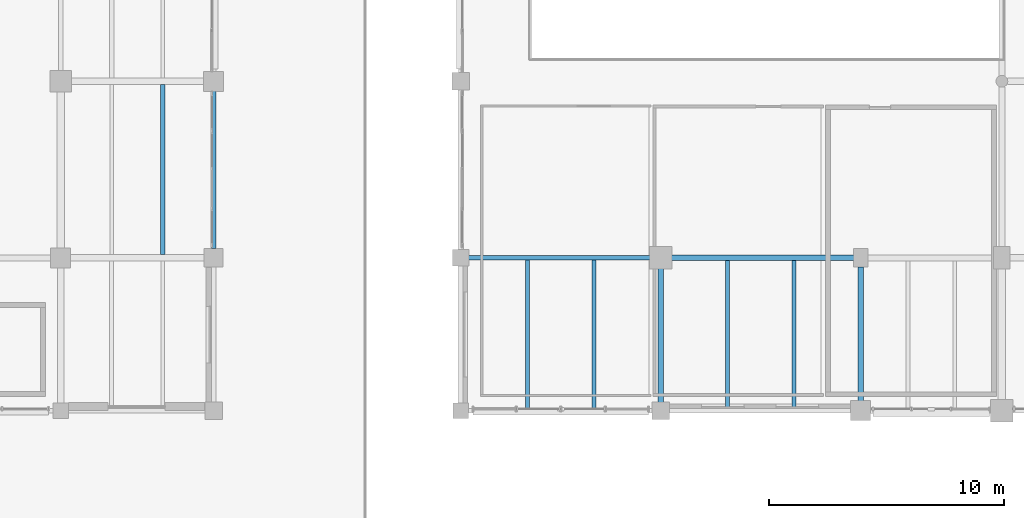
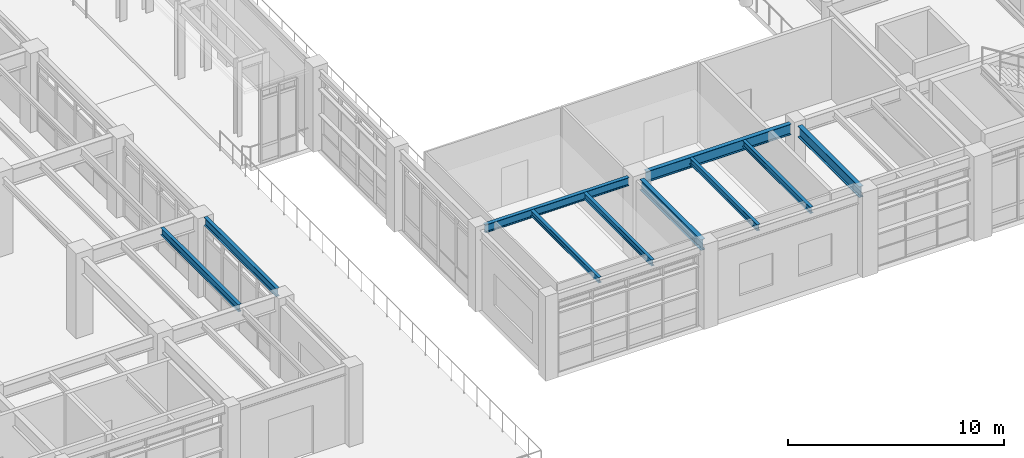
# One storey, part 109 of 200: 10 beams.
"""IFC4 building model written with IfcOpenShell, lengths in metres."""

from ifc_helpers import new_model, si_unit, direction, frame, origin, origin_2d, place, context, subcontext, project, spatial, i_section, extrude, material, material_profile, profile_set, type_object, element, save


model = new_model("IFC4")

# Units and contexts
model_context = context("Model", 3, precision=1e-05, world=origin(), true_north=direction((0.0, 1.0)))
body_context = subcontext(model_context, "Body", "Model", "MODEL_VIEW")
ifc_project = project(units=[si_unit("LENGTHUNIT", "METRE"), si_unit("AREAUNIT", "SQUARE_METRE"), si_unit("VOLUMEUNIT", "CUBIC_METRE"), si_unit("PLANEANGLEUNIT", "RADIAN"), si_unit("MASSUNIT", "GRAM", prefix="KILO"), si_unit("THERMODYNAMICTEMPERATUREUNIT", "KELVIN"), si_unit("POWERUNIT", "WATT")], contexts=[model_context])

# Site, building, storey
site_placement = place(None, origin())
site = spatial("IfcSite", under=ifc_project, at=site_placement, CompositionType="ELEMENT")
building_placement = place(site_placement, origin())
building = spatial("IfcBuilding", under=site, at=building_placement, Name="Tepalcoro Natatorium and Aquatics Centre", CompositionType="ELEMENT")
storey_placement = place(building_placement, frame((0.0, 0.0, 5.39990234375)))
storey = spatial("IfcBuildingStorey", under=building, at=storey_placement, Name="L01", CompositionType="ELEMENT", Elevation=5.39990234375)

# Beams
ifc_material = material(Name="Steel ASTM A992 Grade 50 (Fy 345 MPa)", Category="steel")
ifc_material_profile_1 = material_profile(ifc_material, i_section(OverallWidth=0.193115234375, OverallDepth=0.467041015625, WebThickness=0.010986328125, FlangeThickness=0.01904296875, FilletRadius=0.013916015625, at=origin_2d()), Name="W18X65")
ifc_profile_set_1 = profile_set([ifc_material_profile_1], Name="Steel ASTM A992 Grade 50 (Fy 345 MPa)")
beam_type_1 = type_object("IfcBeamType", Name="BM_W18x65", PredefinedType="BEAM", material=ifc_profile_set_1)
beam_1_placement = place(storey_placement, frame((142.3349609375, 13.0, 4.3115234375), z_axis=(1.0, 0.0, 0.0), x_axis=(0.0, 1.0, 0.0)))
element("IfcBeam", 1, at=beam_1_placement, inside=storey, type_object=beam_type_1, Name="V2 L01 Grid Girder X", PredefinedType="BEAM", context=body_context, shape_type="SweptSolid", body=[
    extrude(i_section(OverallWidth=0.193115234375, OverallDepth=0.467041015625, WebThickness=0.010986328125, FlangeThickness=0.01904296875, FilletRadius=0.013916015625, at=origin_2d()), origin(), (0.0, 0.0, 1.0), 7.705078125),
])
ifc_material_profile_2 = material_profile(ifc_material, i_section(OverallWidth=0.22802734375, OverallDepth=0.60693359375, WebThickness=0.010986328125, FlangeThickness=0.01708984375, FilletRadius=0.013916015625, at=origin_2d()), Name="W24X76")
ifc_profile_set_2 = profile_set([ifc_material_profile_2], Name="Steel ASTM A992 Grade 50 (Fy 345 MPa)")
beam_type_2 = type_object("IfcBeamType", Name="BM_W24x76", PredefinedType="BEAM", material=ifc_profile_set_2)
beam_2_placement = place(storey_placement, frame((150.9599609375, 13.0, 4.24169921875), z_axis=(1.0, 0.0, 0.0), x_axis=(0.0, 1.0, 0.0)))
element("IfcBeam", 2, at=beam_2_placement, inside=storey, type_object=beam_type_2, Name="V2 L01 Grid Girder X", PredefinedType="BEAM", context=body_context, shape_type="SweptSolid", body=[
    extrude(i_section(OverallWidth=0.22802734375, OverallDepth=0.60693359375, WebThickness=0.010986328125, FlangeThickness=0.01708984375, FilletRadius=0.013916015625, at=origin_2d()), origin(), (0.0, 0.0, 1.0), 7.755126953125),
])
beam_3_placement = place(storey_placement, frame((150.5, 6.860107421875, 4.24169921875), z_axis=(0.0, 1.0, 0.0), x_axis=(-1.0, 0.0, 0.0)))
element("IfcBeam", 3, at=beam_3_placement, inside=storey, type_object=beam_type_2, Name="V2 L01 Grid Girder Y", PredefinedType="BEAM", context=body_context, shape_type="SweptSolid", body=[
    extrude(i_section(OverallWidth=0.22802734375, OverallDepth=0.60693359375, WebThickness=0.010986328125, FlangeThickness=0.01708984375, FilletRadius=0.013916015625, at=origin_2d()), origin(), (0.0, 0.0, 1.0), 5.679931640625),
])
ifc_material_profile_3 = material_profile(ifc_material, i_section(OverallWidth=0.22998046875, OverallDepth=0.616943359375, WebThickness=0.012939453125, FlangeThickness=0.02197265625, FilletRadius=0.013916015625, at=origin_2d()), Name="W24X94")
ifc_profile_set_3 = profile_set([ifc_material_profile_3], Name="Steel ASTM A992 Grade 50 (Fy 345 MPa)")
beam_type_3 = type_object("IfcBeamType", Name="BM_W24x94", PredefinedType="BEAM", material=ifc_profile_set_3)
beam_4_placement = place(storey_placement, frame((159.0, 6.909912109375, 4.236572265625), z_axis=(0.0, 1.0, 0.0), x_axis=(-1.0, 0.0, 0.0)))
element("IfcBeam", 4, at=beam_4_placement, inside=storey, type_object=beam_type_3, Name="V2 L01 Grid Girder Y", PredefinedType="BEAM", context=body_context, shape_type="SweptSolid", body=[
    extrude(i_section(OverallWidth=0.22998046875, OverallDepth=0.616943359375, WebThickness=0.012939453125, FlangeThickness=0.02197265625, FilletRadius=0.013916015625, at=origin_2d()), origin(), (0.0, 0.0, 1.0), 5.705078125),
])
ifc_material_profile_4 = material_profile(ifc_material, i_section(OverallWidth=0.1669921875, OverallDepth=0.318115234375, WebThickness=0.008056640625, FlangeThickness=0.012939453125, FilletRadius=0.013916015625, at=origin_2d()), Name="W12X35")
ifc_profile_set_4 = profile_set([ifc_material_profile_4], Name="Steel ASTM A992 Grade 50 (Fy 345 MPa)")
beam_type_4 = type_object("IfcBeamType", Name="JS_W12x35", PredefinedType="JOIST", material=ifc_profile_set_4)
beam_5_placement = place(storey_placement, frame((144.833251953125, 6.595458984375, 4.385986328125), z_axis=(0.0, 1.0, 0.0), x_axis=(-1.0, 0.0, 0.0)))
element("IfcBeam", 5, at=beam_5_placement, inside=storey, type_object=beam_type_4, Name="V2 L01 Floor Joist", PredefinedType="JOIST", context=body_context, shape_type="SweptSolid", body=[
    extrude(i_section(OverallWidth=0.1669921875, OverallDepth=0.318115234375, WebThickness=0.008056640625, FlangeThickness=0.012939453125, FilletRadius=0.013916015625, at=origin_2d()), origin(), (0.0, 0.0, 1.0), 6.30810546875),
])
ifc_material_profile_5 = material_profile(ifc_material, i_section(OverallWidth=0.1708984375, OverallDepth=0.35107421875, WebThickness=0.007080078125, FlangeThickness=0.010009765625, FilletRadius=0.013916015625, at=origin_2d()), Name="W14X30")
ifc_profile_set_5 = profile_set([ifc_material_profile_5], Name="Steel ASTM A992 Grade 50 (Fy 345 MPa)")
beam_type_5 = type_object("IfcBeamType", Name="JS_W14x30", PredefinedType="JOIST", material=ifc_profile_set_5)
beam_6_placement = place(storey_placement, frame((147.666748046875, 6.595458984375, 4.36962890625), z_axis=(0.0, 1.0, 0.0), x_axis=(-1.0, 0.0, 0.0)))
element("IfcBeam", 6, at=beam_6_placement, inside=storey, type_object=beam_type_5, Name="V2 L01 Floor Joist", PredefinedType="JOIST", context=body_context, shape_type="SweptSolid", body=[
    extrude(i_section(OverallWidth=0.1708984375, OverallDepth=0.35107421875, WebThickness=0.007080078125, FlangeThickness=0.010009765625, FilletRadius=0.013916015625, at=origin_2d()), origin(), (0.0, 0.0, 1.0), 6.30810546875),
])
beam_7_placement = place(storey_placement, frame((153.333251953125, 6.60498046875, 4.36962890625), z_axis=(0.0, 1.0, 0.0), x_axis=(-1.0, 0.0, 0.0)))
element("IfcBeam", 7, at=beam_7_placement, inside=storey, type_object=beam_type_5, Name="V2 L01 Floor Joist", PredefinedType="JOIST", context=body_context, shape_type="SweptSolid", body=[
    extrude(i_section(OverallWidth=0.1708984375, OverallDepth=0.35107421875, WebThickness=0.007080078125, FlangeThickness=0.010009765625, FilletRadius=0.013916015625, at=origin_2d()), origin(), (0.0, 0.0, 1.0), 6.281005859375),
])
ifc_material_profile_6 = material_profile(ifc_material, i_section(OverallWidth=0.172119140625, OverallDepth=0.35791015625, WebThickness=0.008056640625, FlangeThickness=0.012939453125, FilletRadius=0.013916015625, at=origin_2d()), Name="W14X38")
ifc_profile_set_6 = profile_set([ifc_material_profile_6], Name="Steel ASTM A992 Grade 50 (Fy 345 MPa)")
beam_type_6 = type_object("IfcBeamType", Name="JS_W14x38", PredefinedType="JOIST", material=ifc_profile_set_6)
beam_8_placement = place(storey_placement, frame((156.166748046875, 6.60498046875, 4.3662109375), z_axis=(0.0, 1.0, 0.0), x_axis=(-1.0, 0.0, 0.0)))
element("IfcBeam", 8, at=beam_8_placement, inside=storey, type_object=beam_type_6, Name="V2 L01 Floor Joist", PredefinedType="JOIST", context=body_context, shape_type="SweptSolid", body=[
    extrude(i_section(OverallWidth=0.172119140625, OverallDepth=0.35791015625, WebThickness=0.008056640625, FlangeThickness=0.012939453125, FilletRadius=0.013916015625, at=origin_2d()), origin(), (0.0, 0.0, 1.0), 6.281005859375),
])
ifc_material_profile_7 = material_profile(ifc_material, i_section(OverallWidth=0.178955078125, OverallDepth=0.409912109375, WebThickness=0.009033203125, FlangeThickness=0.013916015625, FilletRadius=0.013916015625, at=origin_2d()), Name="W16X45")
ifc_profile_set_7 = profile_set([ifc_material_profile_7], Name="Steel ASTM A992 Grade 50 (Fy 345 MPa)")
beam_type_7 = type_object("IfcBeamType", Name="JS_W16x45", PredefinedType="JOIST", material=ifc_profile_set_7)
beam_9_placement = place(storey_placement, frame((129.333251953125, 13.14599609375, 4.260009765625), z_axis=(0.0, 1.0, 0.0), x_axis=(-1.0, 0.0, 0.0)))
element("IfcBeam", 9, at=beam_9_placement, inside=storey, type_object=beam_type_7, Name="V1 L01 Floor Joist", PredefinedType="JOIST", context=body_context, shape_type="SweptSolid", body=[
    extrude(i_section(OverallWidth=0.178955078125, OverallDepth=0.409912109375, WebThickness=0.009033203125, FlangeThickness=0.013916015625, FilletRadius=0.013916015625, at=origin_2d()), origin(), (0.0, 0.0, 1.0), 7.2080078125),
])
ifc_material_profile_8 = material_profile(ifc_material, i_section(OverallWidth=0.19091796875, OverallDepth=0.4599609375, WebThickness=0.010009765625, FlangeThickness=0.01611328125, FilletRadius=0.013916015625, at=origin_2d()), Name="W18X55")
ifc_profile_set_8 = profile_set([ifc_material_profile_8], Name="Steel ASTM A992 Grade 50 (Fy 345 MPa)")
beam_type_8 = type_object("IfcBeamType", Name="SP_W18x55", PredefinedType="SPANDREL", material=ifc_profile_set_8)
beam_10_placement = place(storey_placement, frame((131.5, 13.385009765625, 4.235107421875), z_axis=(0.0, 1.0, 0.0), x_axis=(-1.0, 0.0, 0.0)))
element("IfcBeam", 10, at=beam_10_placement, inside=storey, type_object=beam_type_8, Name="V1 L01 Grid Girder Y", PredefinedType="SPANDREL", context=body_context, shape_type="SweptSolid", body=[
    extrude(i_section(OverallWidth=0.19091796875, OverallDepth=0.4599609375, WebThickness=0.010009765625, FlangeThickness=0.01611328125, FilletRadius=0.013916015625, at=origin_2d()), origin(), (0.0, 0.0, 1.0), 6.705078125),
])

save(model, "model.ifc")
